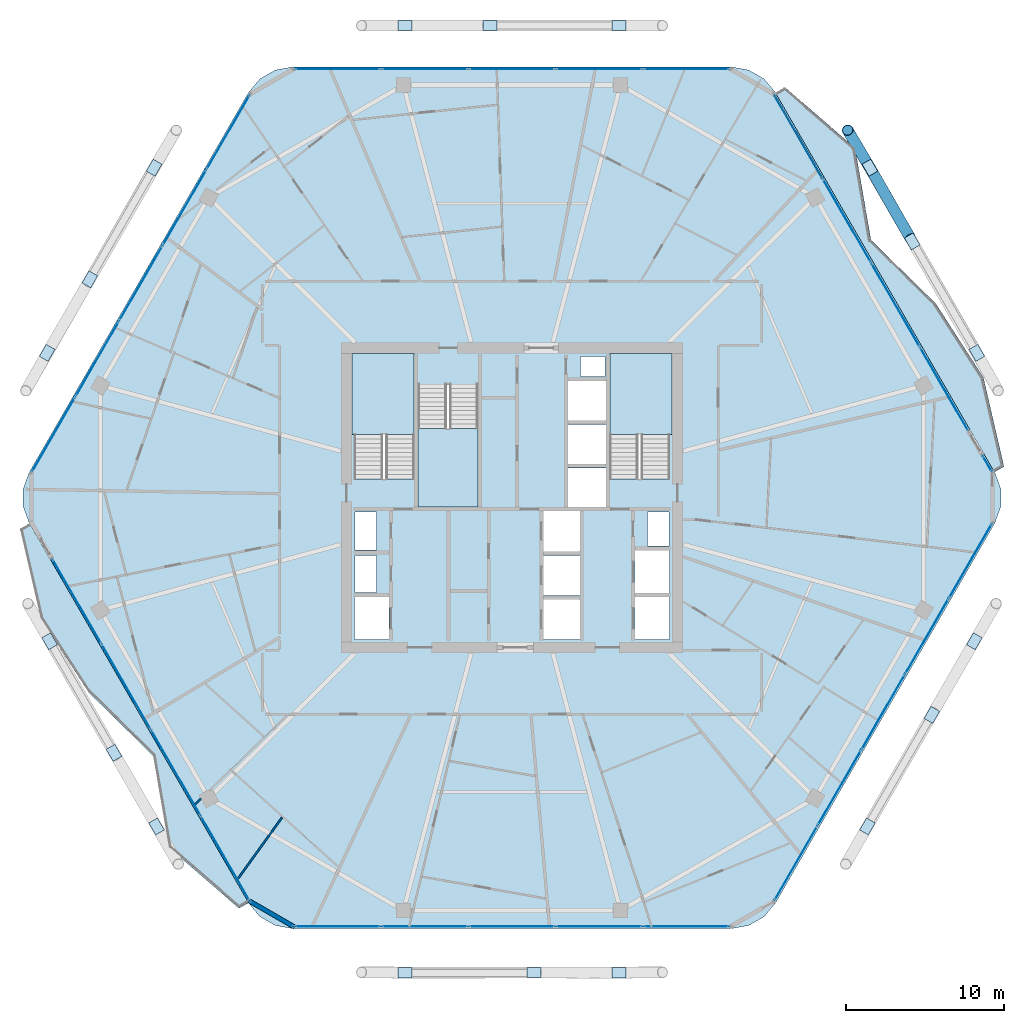
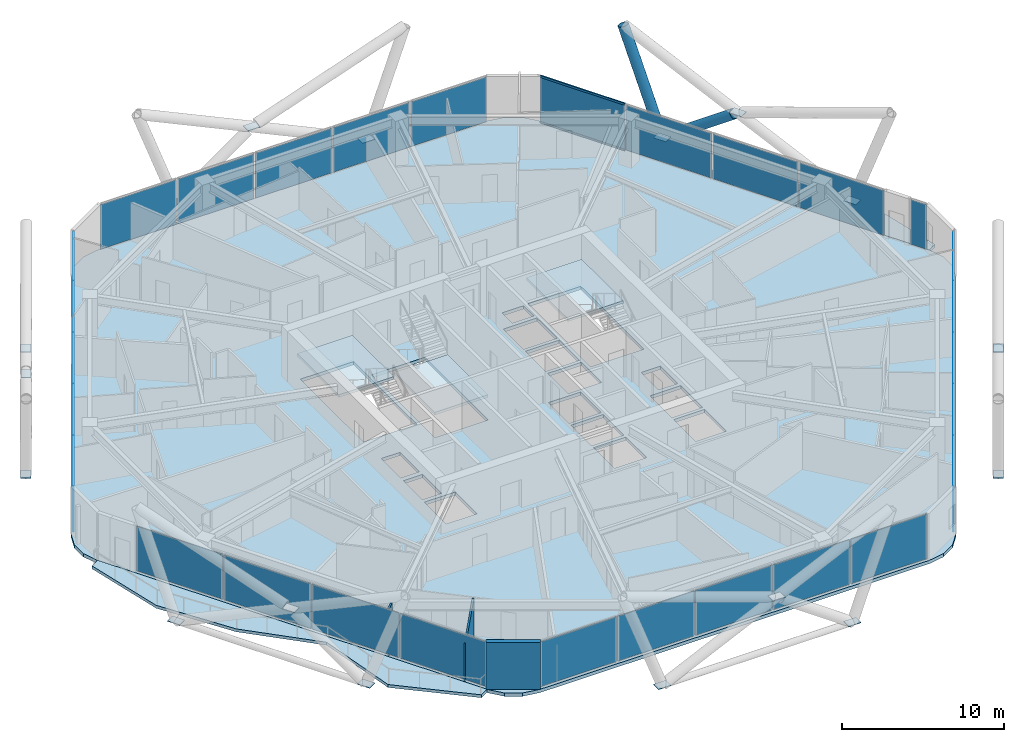
# One storey, part 18 of 27: 47 plates, 6 slabs, 4 members, 3 walls, 10 elements without a shape of their own.
"""IFC4 building model written with IfcOpenShell, lengths in metres."""

from ifc_helpers import new_model, si_unit, direction, frame, frame_2d, origin, origin_2d, place, context, subcontext, project, spatial, polyline, rectangle, hollow_rectangle, hollow_circle, outline, extrude, material, layer, layer_set, material_profile, profile_set, type_object, element, aggregate, save


model = new_model("IFC4")

# Units and contexts
model_context = context("Model", 3, precision=1e-05, world=origin(), true_north=direction((0.0, 1.0)))
body_context = subcontext(model_context, "Body", "Model", "MODEL_VIEW")
ifc_project = project(units=[si_unit("LENGTHUNIT", "METRE"), si_unit("AREAUNIT", "SQUARE_METRE"), si_unit("VOLUMEUNIT", "CUBIC_METRE"), si_unit("PLANEANGLEUNIT", "RADIAN"), si_unit("MASSUNIT", "GRAM", prefix="KILO")], contexts=[model_context])

# Site, building, storey
site_placement = place(None, origin())
site = spatial("IfcSite", under=ifc_project, at=site_placement, CompositionType="ELEMENT")
building_placement = place(site_placement, origin())
building = spatial("IfcBuilding", under=site, at=building_placement, Name="Zuhravey Tower", CompositionType="ELEMENT")
storey_placement = place(building_placement, frame((0.0, 0.0, 215.0)))
storey = spatial("IfcBuildingStorey", under=building, at=storey_placement, Name="L54", CompositionType="ELEMENT", Elevation=215.0)

# Curtain wall, members
ifc_material_1 = material(Name="Thermally broken anodised aluminium", Category="aluminium")
curtain_wall_type = type_object("IfcCurtainWallType", Name="Zone 1-2 Residential Curtain Wall CW3", PredefinedType="NOTDEFINED", material=ifc_material_1)
curtain_wall_1_placement = place(storey_placement, origin())
curtain_wall_1 = element("IfcCurtainWall", 1, at=curtain_wall_1_placement, inside=storey, type_object=curtain_wall_type, Name="L54 CW3 CW-L54-F1-1", PredefinedType="NOTDEFINED")
ifc_material_2 = material(Name="Anodised aluminium", Category="aluminium")
ifc_material_profile_1 = material_profile(ifc_material_2, hollow_rectangle(XDim=0.090087890625, YDim=0.14990234375, WallThickness=0.0048828125, at=origin_2d()), Name="ALU-RHS-90x150x5")
ifc_profile_set_1 = profile_set([ifc_material_profile_1], Name="Anodised aluminium")
member_type_1 = type_object("IfcMemberType", Name="Curtain-Wall Transom 90x150", PredefinedType="USERDEFINED", material=ifc_profile_set_1)
member_1_placement = place(storey_placement, frame((52.65576171875, 57.517578125, 0.044921875), z_axis=(0.500012890865, -0.866017961112, 0.0), x_axis=(0.866017961112, 0.500012890865, 0.0)))
member_1 = element("IfcMember", 2, at=member_1_placement, type_object=member_type_1, Name="CW3 transom 1.1", ObjectType="TRANSOM", PredefinedType="USERDEFINED", context=body_context, shape_type="SweptSolid", body=[
    extrude(hollow_rectangle(XDim=0.090087890625, YDim=0.14990234375, WallThickness=0.0048828125, at=origin_2d()), origin(), (0.0, 0.0, 1.0), 6.039306640625),
])
member_2_placement = place(storey_placement, frame((52.65576171875, 57.517578125, 3.5048828125), z_axis=(0.500012890865, -0.866017961112, 0.0), x_axis=(0.866017961112, 0.500012890865, 0.0)))
member_2 = element("IfcMember", 3, at=member_2_placement, type_object=member_type_1, Name="CW3 transom 1.2", ObjectType="TRANSOM", PredefinedType="USERDEFINED", context=body_context, shape_type="SweptSolid", body=[
    extrude(hollow_rectangle(XDim=0.090087890625, YDim=0.14990234375, WallThickness=0.0048828125, at=origin_2d()), origin(), (0.0, 0.0, 1.0), 6.039306640625),
])

# Members
ifc_material_3 = material(Name="Steel SM460", Category="steel")
ifc_material_profile_2 = material_profile(ifc_material_3, hollow_circle(Radius=0.355712890625, WallThickness=0.031982421875, at=origin_2d()), Name="CHS-711.2x32")
ifc_profile_set_2 = profile_set([ifc_material_profile_2], Name="Steel SM460")
member_type_2 = type_object("IfcMemberType", Name="Exoskeleton Zone 2 Diagrid CHS711x32", PredefinedType="BRACE", material=ifc_profile_set_2)
member_3_placement = place(storey_placement, frame((58.693115234375, 52.940185546875, -0.444091796875), z_axis=(-0.174641459802, 0.295103720853, 0.939369019319), x_axis=(-0.860591717752, -0.509295489217, 0.0)))
element("IfcMember", 4, at=member_3_placement, inside=storey, type_object=member_type_2, Name="L54 Face 1 Diagrid Brace 4", PredefinedType="BRACE", context=body_context, shape_type="SweptSolid", body=[
    extrude(hollow_circle(Radius=0.355712890625, WallThickness=0.031982421875, at=origin_2d()), origin(), (0.0, 0.0, 1.0), 8.048095703125),
])
member_4_placement = place(storey_placement, frame((58.71630859375, 52.900390625, -0.436767578125), z_axis=(0.406751412912, -0.709119821524, 0.575936078759), x_axis=(0.867430450265, 0.497558452801, 0.0)))
element("IfcMember", 5, at=member_4_placement, inside=storey, type_object=member_type_2, Name="L54 Face 1 Split Diagrid Brace 3A", PredefinedType="BRACE", context=body_context, shape_type="SweptSolid", body=[
    extrude(hollow_circle(Radius=0.355712890625, WallThickness=0.031982421875, at=origin_2d()), origin(), (0.0, 0.0, 1.0), 6.205078125),
])

# Plates
ifc_layer_1 = layer(ifc_material_3, 0.035888671875)
ifc_layer_set_1 = layer_set([ifc_layer_1], Name="Steel SM460")
plate_type_1 = type_object("IfcPlateType", Name="Exoskeleton Zone 2 Node Plate ND2", PredefinedType="SHEET", material=ifc_layer_set_1)
for number, where, z_axis, x_axis, name in (
    (6, (65.477783203125, 41.189208984375, -0.48193359375), (0.0, 0.0, 1.0), (-0.5, 0.866025403784, 0.0), "L54 Exoskeleton Node Gusset L54-01"),
    (7, (58.697021484375, 52.93408203125, -0.48193359375), (0.0, 0.0, 1.0), (-0.5, 0.866025403784, 0.0), "L54 Exoskeleton Node Gusset L54-02"),
    (8, (42.781005859375, 61.943115234375, -0.48193359375), (0.0, 0.0, 1.0), (-1.0, 0.0, 0.0), "L54 Exoskeleton Node Gusset L54-03"),
    (9, (29.218994140625, 61.943115234375, -0.48193359375), (0.0, 0.0, 1.0), (-1.0, 0.0, 0.0), "L54 Exoskeleton Node Gusset L54-04"),
    (10, (13.302978515625, 52.93408203125, -0.48193359375), (0.0, 0.0, 1.0), (-0.5, -0.866025403784, 0.0), "L54 Exoskeleton Node Gusset L54-05"),
    (11, (6.522216796875, 41.189208984375, -0.48193359375), (0.0, 0.0, 1.0), (-0.5, -0.866025403784, 0.0), "L54 Exoskeleton Node Gusset L54-06"),
    (12, (6.677978515625, 22.90087890625, -0.48193359375), (0.0, 0.0, 1.0), (0.5, -0.866025403784, 0.0), "L54 Exoskeleton Node Gusset L54-07"),
    (13, (13.458984375, 11.156005859375, -0.48193359375), (0.0, 0.0, 1.0), (0.5, -0.866025403784, 0.0), "L54 Exoskeleton Node Gusset L54-08"),
    (14, (29.218994140625, 1.876953125, -0.48193359375), (0.0, 0.0, 1.0), (1.0, 0.0, 0.0), "L54 Exoskeleton Node Gusset L54-09"),
    (15, (42.781005859375, 1.876953125, -0.48193359375), (0.0, 0.0, 1.0), (1.0, 0.0, 0.0), "L54 Exoskeleton Node Gusset L54-10"),
    (16, (58.541015625, 11.156005859375, -0.48193359375), (0.0, 0.0, 1.0), (0.5, 0.866025403784, 0.0), "L54 Exoskeleton Node Gusset L54-11"),
    (17, (65.322021484375, 22.90087890625, -0.48193359375), (0.0, 0.0, 1.0), (0.5, 0.866025403784, 0.0), "L54 Exoskeleton Node Gusset L54-12"),
    (18, (61.380859375, 48.25537109375, 3.31787109375), (0.0, 0.0, 1.0), (-0.5, 0.866025403784, 0.0), "L54 Face 1 Diagrid X-Crossing Plate"),
    (19, (34.613037109375, 61.943115234375, 3.31787109375), (0.0, 0.0, 1.0), (-1.0, 0.0, 0.0), "L54 Face 2 Diagrid X-Crossing Plate"),
    (20, (9.232177734375, 45.852783203125, 3.31787109375), (0.0, 0.0, 1.0), (-0.5, -0.866025403784, 0.0), "L54 Face 3 Diagrid X-Crossing Plate"),
    (21, (10.761962890625, 15.8271484375, 3.31787109375), (0.0, 0.0, 1.0), (0.5, -0.866025403784, 0.0), "L54 Face 4 Diagrid X-Crossing Plate"),
    (22, (37.386962890625, 1.891845703125, 3.31787109375), (0.0, 0.0, 1.0), (1.0, 0.0, 0.0), "L54 Face 5 Diagrid X-Crossing Plate"),
    (23, (62.625, 18.2294921875, 3.31787109375), (0.0, 0.0, 1.0), (0.5, 0.866025403784, 0.0), "L54 Face 6 Diagrid X-Crossing Plate"),
):
    element("IfcPlate", number, at=place(storey_placement, frame(where, z_axis=z_axis, x_axis=x_axis)), inside=storey, type_object=plate_type_1, Name=name, PredefinedType="SHEET", context=body_context, shape_type="SweptSolid", body=[
        extrude(rectangle(XDim=0.8798828125, YDim=0.639892578125, at=origin_2d()), origin(), (0.0, 0.0, 1.0), 0.035888671875),
    ])

# Slabs
ifc_material_4 = material(Name="Concrete C50/60", Category="concrete")
ifc_layer_2 = layer(ifc_material_4, 0.25)
ifc_layer_set_2 = layer_set([ifc_layer_2], Name="Concrete C50/60")
slab_type_1 = type_object("IfcSlabType", Name="Residential Acoustic Slab 250", PredefinedType="FLOOR", material=ifc_layer_set_2)
slab_1_placement = place(storey_placement, frame((0.0, 0.0, -0.25)))
element("IfcSlab", 24, at=slab_1_placement, inside=storey, type_object=slab_type_1, Name="L54 Floor Slab FS25", PredefinedType="FLOOR", context=body_context, shape_type="SweptSolid", body=[
    extrude(outline(polyline([(66.61181640625, 30.375), (66.997802734375, 31.435546875), (66.997802734375, 32.564453125), (66.61181640625, 33.625), (52.713134765625, 57.697998046875), (51.98779296875, 58.562744140625), (51.01025390625, 59.127197265625), (49.898681640625, 59.322998046875), (22.101318359375, 59.322998046875), (20.98974609375, 59.127197265625), (20.01220703125, 58.562744140625), (19.286865234375, 57.697998046875), (5.38818359375, 33.625), (5.002197265625, 32.564453125), (5.002197265625, 31.435546875), (5.38818359375, 30.375), (19.286865234375, 6.302001953125), (20.01220703125, 5.437255859375), (20.98974609375, 4.872802734375), (22.101318359375, 4.677001953125), (49.898681640625, 4.677001953125), (51.01025390625, 4.872802734375), (51.98779296875, 5.437255859375), (52.713134765625, 6.302001953125), (66.61181640625, 30.375)]), holes=[polyline([(29.800048828125, 33.20068359375), (29.800048828125, 41.0), (26.0, 41.0), (26.0, 33.20068359375), (29.800048828125, 33.20068359375)]), polyline([(46.0, 33.20068359375), (46.0, 41.0), (42.199951171875, 41.0), (42.199951171875, 33.20068359375), (46.0, 33.20068359375)]), polyline([(30.050048828125, 39.199462890625), (30.050048828125, 31.39990234375), (33.85009765625, 31.39990234375), (33.85009765625, 39.199462890625), (30.050048828125, 39.199462890625)]), polyline([(38.0, 23.0), (40.300048828125, 23.0), (40.300048828125, 25.550048828125), (38.0, 25.550048828125), (38.0, 23.0)]), polyline([(38.0, 25.800048828125), (40.300048828125, 25.800048828125), (40.300048828125, 28.35009765625), (38.0, 28.35009765625), (38.0, 25.800048828125)]), polyline([(38.0, 28.60009765625), (40.300048828125, 28.60009765625), (40.300048828125, 31.14990234375), (38.0, 31.14990234375), (38.0, 28.60009765625)]), polyline([(39.550048828125, 31.39990234375), (41.949951171875, 31.39990234375), (41.949951171875, 33.89990234375), (39.550048828125, 33.89990234375), (39.550048828125, 31.39990234375)]), polyline([(39.550048828125, 34.14990234375), (41.949951171875, 34.14990234375), (41.949951171875, 36.64990234375), (39.550048828125, 36.64990234375), (39.550048828125, 34.14990234375)]), polyline([(39.550048828125, 36.89990234375), (41.949951171875, 36.89990234375), (41.949951171875, 39.39990234375), (39.550048828125, 39.39990234375), (39.550048828125, 36.89990234375)]), polyline([(26.0, 23.0), (28.199951171875, 23.0), (28.199951171875, 25.699951171875), (26.0, 25.699951171875), (26.0, 23.0)]), polyline([(43.800048828125, 23.0), (46.0, 23.0), (46.0, 25.699951171875), (43.800048828125, 25.699951171875), (43.800048828125, 23.0)]), polyline([(43.800048828125, 25.949951171875), (46.0, 25.949951171875), (46.0, 28.64990234375), (43.800048828125, 28.64990234375), (43.800048828125, 25.949951171875)]), polyline([(26.050048828125, 26.0), (27.39990234375, 26.0), (27.39990234375, 28.35009765625), (26.050048828125, 28.35009765625), (26.050048828125, 26.0)]), polyline([(26.050048828125, 28.699951171875), (27.39990234375, 28.699951171875), (27.39990234375, 31.10009765625), (26.050048828125, 31.10009765625), (26.050048828125, 28.699951171875)]), polyline([(44.60009765625, 28.949951171875), (45.949951171875, 28.949951171875), (45.949951171875, 31.10009765625), (44.60009765625, 31.10009765625), (44.60009765625, 28.949951171875)]), polyline([(40.35009765625, 39.699951171875), (41.89990234375, 39.699951171875), (41.89990234375, 40.949951171875), (40.35009765625, 40.949951171875), (40.35009765625, 39.699951171875)])]), origin(), (0.0, 0.0, 1.0), 0.25),
])
ifc_material_5 = material(Name="Concrete C40/50", Category="concrete")
ifc_layer_3 = layer(ifc_material_5, 0.219970703125)
ifc_layer_set_3 = layer_set([ifc_layer_3], Name="Concrete C40/50")
slab_type_2 = type_object("IfcSlabType", Name="Sinusoidal Residential Wave Balcony 220", PredefinedType="FLOOR", material=ifc_layer_set_3)
slab_2_placement = place(storey_placement, frame((0.0, 0.0, -0.219970703125)))
element("IfcSlab", 25, at=slab_2_placement, inside=storey, type_object=slab_type_2, Name="L54 Face 1 Wave Balcony WB22", PredefinedType="FLOOR", context=body_context, shape_type="SweptSolid", body=[
    extrude(outline(polyline([(66.594482421875, 33.625), (52.70458984375, 57.68310546875), (53.310791015625, 58.033203125), (57.75537109375, 54.18359375), (58.76318359375, 48.35009765625), (62.877197265625, 44.309814453125), (65.892333984375, 39.635009765625), (67.20068359375, 33.97509765625), (66.594482421875, 33.625)])), origin(), (0.0, 0.0, 1.0), 0.219970703125),
])
slab_3_placement = place(storey_placement, frame((0.0, 0.0, -0.219970703125)))
element("IfcSlab", 26, at=slab_3_placement, inside=storey, type_object=slab_type_2, Name="L54 Face 4 Wave Balcony WB22", PredefinedType="FLOOR", context=body_context, shape_type="SweptSolid", body=[
    extrude(outline(polyline([(5.405517578125, 30.375), (19.29541015625, 6.31689453125), (18.689208984375, 5.966796875), (14.24462890625, 9.81640625), (13.23681640625, 15.64990234375), (9.122802734375, 19.690185546875), (6.107666015625, 24.364990234375), (4.79931640625, 30.02490234375), (5.405517578125, 30.375)])), origin(), (0.0, 0.0, 1.0), 0.219970703125),
])

# Stair, slab
stair_type = type_object("IfcStairType", Name="Housing Storey Stair Assembly 3800", PredefinedType="HALF_TURN_STAIR", material=ifc_material_5)
stair_1_placement = place(storey_placement, origin())
stair_1 = element("IfcStair", 27, at=stair_1_placement, inside=storey, type_object=stair_type, Name="L54 Core Exit Stair ST1", PredefinedType="HALF_TURN_STAIR")
ifc_layer_4 = layer(ifc_material_5, 0.199951171875)
ifc_layer_set_4 = layer_set([ifc_layer_4], Name="Concrete C40/50")
slab_type_3 = type_object("IfcSlabType", Name="Stair Landing Slab 200", PredefinedType="LANDING", material=ifc_layer_set_4)
slab_4_placement = place(storey_placement, frame((0.0, 0.0, 1.699951171875)))
slab_4 = element("IfcSlab", 28, at=slab_4_placement, type_object=slab_type_3, Name="ST1 landing 1", PredefinedType="LANDING", context=body_context, shape_type="SweptSolid", body=[
    extrude(outline(polyline([(29.800048828125, 36.0), (29.800048828125, 41.14794921875), (25.85205078125, 41.14794921875), (25.85205078125, 36.0), (29.800048828125, 36.0)])), origin(), (0.0, 0.0, 1.0), 0.199951171875),
])
aggregate(stair_1, [slab_4])

stair_2_placement = place(storey_placement, origin())
stair_2 = element("IfcStair", 29, at=stair_2_placement, inside=storey, type_object=stair_type, Name="L54 Core Exit Stair ST2", PredefinedType="HALF_TURN_STAIR")
slab_5_placement = place(storey_placement, frame((0.0, 0.0, 1.699951171875)))
slab_5 = element("IfcSlab", 30, at=slab_5_placement, type_object=slab_type_3, Name="ST2 landing 1", PredefinedType="LANDING", context=body_context, shape_type="SweptSolid", body=[
    extrude(outline(polyline([(46.14794921875, 36.0), (46.14794921875, 41.14794921875), (42.199951171875, 41.14794921875), (42.199951171875, 36.0), (46.14794921875, 36.0)])), origin(), (0.0, 0.0, 1.0), 0.199951171875),
])
aggregate(stair_2, [slab_5])

stair_3_placement = place(storey_placement, origin())
stair_3 = element("IfcStair", 31, at=stair_3_placement, inside=storey, type_object=stair_type, Name="L54 Core Exit Stair ST3", PredefinedType="HALF_TURN_STAIR")
slab_6_placement = place(storey_placement, frame((0.0, 0.0, 1.699951171875)))
slab_6 = element("IfcSlab", 32, at=slab_6_placement, type_object=slab_type_3, Name="ST3 landing 1", PredefinedType="LANDING", context=body_context, shape_type="SweptSolid", body=[
    extrude(outline(polyline([(30.050048828125, 36.39990234375), (30.050048828125, 31.39990234375), (33.85009765625, 31.39990234375), (33.85009765625, 36.39990234375), (30.050048828125, 36.39990234375)])), origin(), (0.0, 0.0, 1.0), 0.199951171875),
])
aggregate(stair_3, [slab_6])

# Curtain wall, plates
curtain_wall_2_placement = place(storey_placement, origin())
curtain_wall_2 = element("IfcCurtainWall", 33, at=curtain_wall_2_placement, inside=storey, type_object=curtain_wall_type, Name="L54 CW3 CW-L54-F6-1", PredefinedType="NOTDEFINED")
ifc_material_6 = material(Name="Triple low-E insulated vision glass", Category="glass")
ifc_layer_5 = layer(ifc_material_6, 0.0419921875)
ifc_layer_set_5 = layer_set([ifc_layer_5], Name="Triple low-E insulated vision glass")
plate_type_2 = type_object("IfcPlateType", Name="Triple Low-E Vision Panel", PredefinedType="CURTAIN_PANEL", material=ifc_layer_set_5)
plate_1_placement = place(storey_placement, frame((65.074462890625, 27.9921875, 0.08984375), z_axis=(0.0, 0.0, 1.0), x_axis=(-0.500000459979, -0.866025138215, 0.0)))
plate_1 = element("IfcPlate", 34, at=plate_1_placement, type_object=plate_type_2, Name="CW3 panel 1.1", PredefinedType="CURTAIN_PANEL", context=body_context, shape_type="SweptSolid", body=[
    extrude(rectangle(XDim=5.409423828125, YDim=0.0419921875, at=origin_2d()), origin(), (0.0, 0.0, 1.0), 3.3701171875),
])
plate_2_placement = place(storey_placement, frame((62.3134765625, 23.2099609375, 0.08984375), z_axis=(0.0, 0.0, 1.0), x_axis=(-0.500000459979, -0.866025138215, 0.0)))
plate_2 = element("IfcPlate", 35, at=plate_2_placement, type_object=plate_type_2, Name="CW3 panel 2.1", PredefinedType="CURTAIN_PANEL", context=body_context, shape_type="SweptSolid", body=[
    extrude(rectangle(XDim=5.454345703125, YDim=0.0419921875, at=origin_2d()), origin(), (0.0, 0.0, 1.0), 3.3701171875),
])
plate_3_placement = place(storey_placement, frame((59.541259765625, 18.408447265625, 0.08984375), z_axis=(0.0, 0.0, 1.0), x_axis=(-0.500000459979, -0.866025138215, 0.0)))
plate_3 = element("IfcPlate", 36, at=plate_3_placement, type_object=plate_type_2, Name="CW3 panel 3.1", PredefinedType="CURTAIN_PANEL", context=body_context, shape_type="SweptSolid", body=[
    extrude(rectangle(XDim=5.454345703125, YDim=0.0419921875, at=origin_2d()), origin(), (0.0, 0.0, 1.0), 3.3701171875),
])
plate_4_placement = place(storey_placement, frame((56.76904296875, 13.60693359375, 0.08984375), z_axis=(0.0, 0.0, 1.0), x_axis=(-0.500000459979, -0.866025138215, 0.0)))
plate_4 = element("IfcPlate", 37, at=plate_4_placement, type_object=plate_type_2, Name="CW3 panel 4.1", PredefinedType="CURTAIN_PANEL", context=body_context, shape_type="SweptSolid", body=[
    extrude(rectangle(XDim=5.454345703125, YDim=0.0419921875, at=origin_2d()), origin(), (0.0, 0.0, 1.0), 3.3701171875),
])
plate_5_placement = place(storey_placement, frame((54.008056640625, 8.82470703125, 0.08984375), z_axis=(0.0, 0.0, 1.0), x_axis=(-0.500000459979, -0.866025138215, 0.0)))
plate_5 = element("IfcPlate", 38, at=plate_5_placement, type_object=plate_type_2, Name="CW3 panel 5.1", PredefinedType="CURTAIN_PANEL", context=body_context, shape_type="SweptSolid", body=[
    extrude(rectangle(XDim=5.409423828125, YDim=0.0419921875, at=origin_2d()), origin(), (0.0, 0.0, 1.0), 3.3701171875),
])
aggregate(curtain_wall_2, [plate_1, plate_2, plate_3, plate_4, plate_5])

curtain_wall_3_placement = place(storey_placement, origin())
curtain_wall_3 = element("IfcCurtainWall", 39, at=curtain_wall_3_placement, inside=storey, type_object=curtain_wall_type, Name="L54 CW3 CW-L54-F5-1", PredefinedType="NOTDEFINED")
plate_6_placement = place(storey_placement, frame((47.06640625, 4.81689453125, 0.08984375), z_axis=(0.0, 0.0, 1.0), x_axis=(-1.0, 0.0, 0.0)))
plate_6 = element("IfcPlate", 40, at=plate_6_placement, type_object=plate_type_2, Name="CW3 panel 1.1", PredefinedType="CURTAIN_PANEL", context=body_context, shape_type="SweptSolid", body=[
    extrude(rectangle(XDim=5.409423828125, YDim=0.0419921875, at=origin_2d()), origin(), (0.0, 0.0, 1.0), 3.3701171875),
])
plate_7_placement = place(storey_placement, frame((41.54443359375, 4.81689453125, 0.08984375), z_axis=(0.0, 0.0, 1.0), x_axis=(-1.0, 0.0, 0.0)))
plate_7 = element("IfcPlate", 41, at=plate_7_placement, type_object=plate_type_2, Name="CW3 panel 2.1", PredefinedType="CURTAIN_PANEL", context=body_context, shape_type="SweptSolid", body=[
    extrude(rectangle(XDim=5.454345703125, YDim=0.0419921875, at=origin_2d()), origin(), (0.0, 0.0, 1.0), 3.3701171875),
])
plate_8_placement = place(storey_placement, frame((36.0, 4.81689453125, 0.08984375), z_axis=(0.0, 0.0, 1.0), x_axis=(-1.0, 0.0, 0.0)))
plate_8 = element("IfcPlate", 42, at=plate_8_placement, type_object=plate_type_2, Name="CW3 panel 3.1", PredefinedType="CURTAIN_PANEL", context=body_context, shape_type="SweptSolid", body=[
    extrude(rectangle(XDim=5.454345703125, YDim=0.0419921875, at=origin_2d()), origin(), (0.0, 0.0, 1.0), 3.3701171875),
])
plate_9_placement = place(storey_placement, frame((30.45556640625, 4.81689453125, 0.08984375), z_axis=(0.0, 0.0, 1.0), x_axis=(-1.0, 0.0, 0.0)))
plate_9 = element("IfcPlate", 43, at=plate_9_placement, type_object=plate_type_2, Name="CW3 panel 4.1", PredefinedType="CURTAIN_PANEL", context=body_context, shape_type="SweptSolid", body=[
    extrude(rectangle(XDim=5.454345703125, YDim=0.0419921875, at=origin_2d()), origin(), (0.0, 0.0, 1.0), 3.3701171875),
])
plate_10_placement = place(storey_placement, frame((24.93359375, 4.81689453125, 0.08984375), z_axis=(0.0, 0.0, 1.0), x_axis=(-1.0, 0.0, 0.0)))
plate_10 = element("IfcPlate", 44, at=plate_10_placement, type_object=plate_type_2, Name="CW3 panel 5.1", PredefinedType="CURTAIN_PANEL", context=body_context, shape_type="SweptSolid", body=[
    extrude(rectangle(XDim=5.409423828125, YDim=0.0419921875, at=origin_2d()), origin(), (0.0, 0.0, 1.0), 3.3701171875),
])
aggregate(curtain_wall_3, [plate_6, plate_7, plate_8, plate_9, plate_10])

curtain_wall_4_placement = place(storey_placement, origin())
curtain_wall_4 = element("IfcCurtainWall", 45, at=curtain_wall_4_placement, inside=storey, type_object=curtain_wall_type, Name="L54 CW3 CW-L54-F4-1", PredefinedType="NOTDEFINED")
plate_11_placement = place(storey_placement, frame((17.8076171875, 9.14404296875, 0.08984375), z_axis=(0.0, 0.0, 1.0), x_axis=(-0.50000182592, 0.866024349586, 0.0)))
plate_11 = element("IfcPlate", 46, at=plate_11_placement, type_object=plate_type_2, Name="CW3 panel 1.1", PredefinedType="CURTAIN_PANEL", context=body_context, shape_type="SweptSolid", body=[
    extrude(rectangle(XDim=6.147216796875, YDim=0.0419921875, at=origin_2d()), origin(), (0.0, 0.0, 1.0), 3.3701171875),
])
plate_12_placement = place(storey_placement, frame((14.677734375, 14.565185546875, 0.08984375), z_axis=(0.0, 0.0, 1.0), x_axis=(-0.50000182592, 0.866024349586, 0.0)))
plate_12 = element("IfcPlate", 47, at=plate_12_placement, type_object=plate_type_2, Name="CW3 panel 2.1", PredefinedType="CURTAIN_PANEL", context=body_context, shape_type="SweptSolid", body=[
    extrude(rectangle(XDim=6.192138671875, YDim=0.0419921875, at=origin_2d()), origin(), (0.0, 0.0, 1.0), 3.3701171875),
])
plate_13_placement = place(storey_placement, frame((11.53662109375, 20.005615234375, 0.08984375), z_axis=(0.0, 0.0, 1.0), x_axis=(-0.50000182592, 0.866024349586, 0.0)))
plate_13 = element("IfcPlate", 48, at=plate_13_placement, type_object=plate_type_2, Name="CW3 panel 3.1", PredefinedType="CURTAIN_PANEL", context=body_context, shape_type="SweptSolid", body=[
    extrude(rectangle(XDim=6.192138671875, YDim=0.0419921875, at=origin_2d()), origin(), (0.0, 0.0, 1.0), 3.3701171875),
])
plate_14_placement = place(storey_placement, frame((8.40673828125, 25.426513671875, 0.08984375), z_axis=(0.0, 0.0, 1.0), x_axis=(-0.50000182592, 0.866024349586, 0.0)))
plate_14 = element("IfcPlate", 49, at=plate_14_placement, type_object=plate_type_2, Name="CW3 panel 4.1", PredefinedType="CURTAIN_PANEL", context=body_context, shape_type="SweptSolid", body=[
    extrude(rectangle(XDim=6.147216796875, YDim=0.0419921875, at=origin_2d()), origin(), (0.0, 0.0, 1.0), 3.3701171875),
])
aggregate(curtain_wall_4, [plate_11, plate_12, plate_13, plate_14])

curtain_wall_5_placement = place(storey_placement, origin())
curtain_wall_5 = element("IfcCurtainWall", 50, at=curtain_wall_5_placement, inside=storey, type_object=curtain_wall_type, Name="L54 CW3 CW-L54-F3-1", PredefinedType="NOTDEFINED")
plate_15_placement = place(storey_placement, frame((6.925537109375, 36.0078125, 0.08984375), z_axis=(0.0, 0.0, 1.0), x_axis=(0.500000459979, 0.866025138215, 0.0)))
plate_15 = element("IfcPlate", 51, at=plate_15_placement, type_object=plate_type_2, Name="CW3 panel 1.1", PredefinedType="CURTAIN_PANEL", context=body_context, shape_type="SweptSolid", body=[
    extrude(rectangle(XDim=5.409423828125, YDim=0.0419921875, at=origin_2d()), origin(), (0.0, 0.0, 1.0), 3.3701171875),
])
plate_16_placement = place(storey_placement, frame((9.6865234375, 40.7900390625, 0.08984375), z_axis=(0.0, 0.0, 1.0), x_axis=(0.500000459979, 0.866025138215, 0.0)))
plate_16 = element("IfcPlate", 52, at=plate_16_placement, type_object=plate_type_2, Name="CW3 panel 2.1", PredefinedType="CURTAIN_PANEL", context=body_context, shape_type="SweptSolid", body=[
    extrude(rectangle(XDim=5.454345703125, YDim=0.0419921875, at=origin_2d()), origin(), (0.0, 0.0, 1.0), 3.3701171875),
])
plate_17_placement = place(storey_placement, frame((12.458740234375, 45.591552734375, 0.08984375), z_axis=(0.0, 0.0, 1.0), x_axis=(0.500000459979, 0.866025138215, 0.0)))
plate_17 = element("IfcPlate", 53, at=plate_17_placement, type_object=plate_type_2, Name="CW3 panel 3.1", PredefinedType="CURTAIN_PANEL", context=body_context, shape_type="SweptSolid", body=[
    extrude(rectangle(XDim=5.454345703125, YDim=0.0419921875, at=origin_2d()), origin(), (0.0, 0.0, 1.0), 3.3701171875),
])
plate_18_placement = place(storey_placement, frame((15.23095703125, 50.39306640625, 0.08984375), z_axis=(0.0, 0.0, 1.0), x_axis=(0.500000459979, 0.866025138215, 0.0)))
plate_18 = element("IfcPlate", 54, at=plate_18_placement, type_object=plate_type_2, Name="CW3 panel 4.1", PredefinedType="CURTAIN_PANEL", context=body_context, shape_type="SweptSolid", body=[
    extrude(rectangle(XDim=5.454345703125, YDim=0.0419921875, at=origin_2d()), origin(), (0.0, 0.0, 1.0), 3.3701171875),
])
plate_19_placement = place(storey_placement, frame((17.991943359375, 55.17529296875, 0.08984375), z_axis=(0.0, 0.0, 1.0), x_axis=(0.500000459979, 0.866025138215, 0.0)))
plate_19 = element("IfcPlate", 55, at=plate_19_placement, type_object=plate_type_2, Name="CW3 panel 5.1", PredefinedType="CURTAIN_PANEL", context=body_context, shape_type="SweptSolid", body=[
    extrude(rectangle(XDim=5.409423828125, YDim=0.0419921875, at=origin_2d()), origin(), (0.0, 0.0, 1.0), 3.3701171875),
])
aggregate(curtain_wall_5, [plate_15, plate_16, plate_17, plate_18, plate_19])

curtain_wall_6_placement = place(storey_placement, origin())
curtain_wall_6 = element("IfcCurtainWall", 56, at=curtain_wall_6_placement, inside=storey, type_object=curtain_wall_type, Name="L54 CW3 CW-L54-F2-1", PredefinedType="NOTDEFINED")
plate_20_placement = place(storey_placement, frame((24.93359375, 59.18310546875, 0.08984375), z_axis=(0.0, 0.0, 1.0), x_axis=(1.0, 0.0, 0.0)))
plate_20 = element("IfcPlate", 57, at=plate_20_placement, type_object=plate_type_2, Name="CW3 panel 1.1", PredefinedType="CURTAIN_PANEL", context=body_context, shape_type="SweptSolid", body=[
    extrude(rectangle(XDim=5.409423828125, YDim=0.0419921875, at=origin_2d()), origin(), (0.0, 0.0, 1.0), 3.3701171875),
])
plate_21_placement = place(storey_placement, frame((30.45556640625, 59.18310546875, 0.08984375), z_axis=(0.0, 0.0, 1.0), x_axis=(1.0, 0.0, 0.0)))
plate_21 = element("IfcPlate", 58, at=plate_21_placement, type_object=plate_type_2, Name="CW3 panel 2.1", PredefinedType="CURTAIN_PANEL", context=body_context, shape_type="SweptSolid", body=[
    extrude(rectangle(XDim=5.454345703125, YDim=0.0419921875, at=origin_2d()), origin(), (0.0, 0.0, 1.0), 3.3701171875),
])
plate_22_placement = place(storey_placement, frame((36.0, 59.18310546875, 0.08984375), z_axis=(0.0, 0.0, 1.0), x_axis=(1.0, 0.0, 0.0)))
plate_22 = element("IfcPlate", 59, at=plate_22_placement, type_object=plate_type_2, Name="CW3 panel 3.1", PredefinedType="CURTAIN_PANEL", context=body_context, shape_type="SweptSolid", body=[
    extrude(rectangle(XDim=5.454345703125, YDim=0.0419921875, at=origin_2d()), origin(), (0.0, 0.0, 1.0), 3.3701171875),
])
plate_23_placement = place(storey_placement, frame((41.54443359375, 59.18310546875, 0.08984375), z_axis=(0.0, 0.0, 1.0), x_axis=(1.0, 0.0, 0.0)))
plate_23 = element("IfcPlate", 60, at=plate_23_placement, type_object=plate_type_2, Name="CW3 panel 4.1", PredefinedType="CURTAIN_PANEL", context=body_context, shape_type="SweptSolid", body=[
    extrude(rectangle(XDim=5.454345703125, YDim=0.0419921875, at=origin_2d()), origin(), (0.0, 0.0, 1.0), 3.3701171875),
])
plate_24_placement = place(storey_placement, frame((47.06640625, 59.18310546875, 0.08984375), z_axis=(0.0, 0.0, 1.0), x_axis=(1.0, 0.0, 0.0)))
plate_24 = element("IfcPlate", 61, at=plate_24_placement, type_object=plate_type_2, Name="CW3 panel 5.1", PredefinedType="CURTAIN_PANEL", context=body_context, shape_type="SweptSolid", body=[
    extrude(rectangle(XDim=5.409423828125, YDim=0.0419921875, at=origin_2d()), origin(), (0.0, 0.0, 1.0), 3.3701171875),
])
aggregate(curtain_wall_6, [plate_20, plate_21, plate_22, plate_23, plate_24])

# Plate
plate_25_placement = place(storey_placement, frame((54.16552734375, 54.902587890625, 0.08984375), z_axis=(0.0, 0.0, 1.0), x_axis=(0.500001672987, -0.866024437883, 0.0)))
plate_25 = element("IfcPlate", 62, at=plate_25_placement, type_object=plate_type_2, Name="CW3 panel 1.1", PredefinedType="CURTAIN_PANEL", context=body_context, shape_type="SweptSolid", body=[
    extrude(rectangle(XDim=6.03955078125, YDim=0.0419921875, at=origin_2d()), origin(), (0.0, 0.0, 1.0), 3.3701171875),
])

plate_26_placement = place(storey_placement, frame((57.241455078125, 49.57470703125, 0.08984375), z_axis=(0.0, 0.0, 1.0), x_axis=(0.500001672987, -0.866024437883, 0.0)))
plate_26 = element("IfcPlate", 63, at=plate_26_placement, type_object=plate_type_2, Name="CW3 panel 2.1", PredefinedType="CURTAIN_PANEL", context=body_context, shape_type="SweptSolid", body=[
    extrude(rectangle(XDim=6.08447265625, YDim=0.0419921875, at=origin_2d()), origin(), (0.0, 0.0, 1.0), 3.3701171875),
])

plate_27_placement = place(storey_placement, frame((60.328857421875, 44.2275390625, 0.08984375), z_axis=(0.0, 0.0, 1.0), x_axis=(0.500001672987, -0.866024437883, 0.0)))
plate_27 = element("IfcPlate", 64, at=plate_27_placement, type_object=plate_type_2, Name="CW3 panel 3.1", PredefinedType="CURTAIN_PANEL", context=body_context, shape_type="SweptSolid", body=[
    extrude(rectangle(XDim=6.08447265625, YDim=0.0419921875, at=origin_2d()), origin(), (0.0, 0.0, 1.0), 3.3701171875),
])

plate_28_placement = place(storey_placement, frame((63.40478515625, 38.899658203125, 0.08984375), z_axis=(0.0, 0.0, 1.0), x_axis=(0.500001672987, -0.866024437883, 0.0)))
plate_28 = element("IfcPlate", 65, at=plate_28_placement, type_object=plate_type_2, Name="CW3 panel 4.1", PredefinedType="CURTAIN_PANEL", context=body_context, shape_type="SweptSolid", body=[
    extrude(rectangle(XDim=6.03955078125, YDim=0.0419921875, at=origin_2d()), origin(), (0.0, 0.0, 1.0), 3.3701171875),
])

aggregate(curtain_wall_1, [member_1, member_2, plate_25, plate_26, plate_27, plate_28])

# Curtain wall, plate
curtain_wall_7_placement = place(storey_placement, origin())
curtain_wall_7 = element("IfcCurtainWall", 66, at=curtain_wall_7_placement, inside=storey, type_object=curtain_wall_type, Name="L54 CW3 CW-L54-F1-2", PredefinedType="NOTDEFINED")
plate_29_placement = place(storey_placement, frame((66.140869140625, 34.160888671875, 0.08984375), z_axis=(0.0, 0.0, 1.0), x_axis=(0.499964306755, -0.866046010308, 0.0)))
plate_29 = element("IfcPlate", 67, at=plate_29_placement, type_object=plate_type_2, Name="CW3 panel 1.1", PredefinedType="CURTAIN_PANEL", context=body_context, shape_type="SweptSolid", body=[
    extrude(rectangle(XDim=1.144287109375, YDim=0.0419921875, at=origin_2d()), origin(), (0.0, 0.0, 1.0), 3.3701171875),
])
aggregate(curtain_wall_7, [plate_29])

# Walls
ifc_material_7 = material(Name="Precast concrete C40/50", Category="concrete")
ifc_layer_6 = layer(ifc_material_7, 0.280029296875)
ifc_layer_set_6 = layer_set([ifc_layer_6], Name="Precast concrete C40/50")
wall_type_1 = type_object("IfcWallType", Name="Crown Architectural Wall 280", PredefinedType="SOLIDWALL", material=ifc_layer_set_6)
wall_1_placement = place(storey_placement, frame((22.22119140625, 4.769287109375, 0.0), z_axis=(0.0, 0.0, 1.0), x_axis=(-0.866020068361, 0.500009241111, 0.0)))
element("IfcWall", 68, at=wall_1_placement, inside=storey, type_object=wall_type_1, Name="L54 Rounded Corner Closure Wall EW28-04", PredefinedType="SOLIDWALL", context=body_context, shape_type="SweptSolid", body=[
    extrude(rectangle(XDim=3.365234375, YDim=0.280029296875, at=frame_2d((1.6826171875, 0.0))), origin(), (0.0, 0.0, 1.0), 3.550048828125),
])
ifc_material_8 = material(Name="Gypsum metal-stud partition")
ifc_layer_7 = layer(ifc_material_8, 0.1201171875)
ifc_layer_set_7 = layer_set([ifc_layer_7], Name="Gypsum metal-stud partition")
wall_type_2 = type_object("IfcWallType", Name="Unit Internal Partition 120", PredefinedType="PARTITIONING", material=ifc_layer_set_7)
wall_2_placement = place(storey_placement, frame((21.414306640625, 11.72412109375, 0.0), z_axis=(0.0, 0.0, 1.0), x_axis=(-0.583973485563, -0.81177273184, 0.0)))
element("IfcWall", 69, at=wall_2_placement, inside=storey, type_object=wall_type_2, Name="L54 IW12 Partition 100", PredefinedType="PARTITIONING", context=body_context, shape_type="SweptSolid", body=[
    extrude(rectangle(XDim=4.874267578125, YDim=0.1201171875, at=frame_2d((2.43701171875, 0.0))), origin(), (0.0, 0.0, 1.0), 2.8701171875),
])
wall_3_placement = place(storey_placement, frame((16.279541015625, 12.929443359375, 0.0), z_axis=(0.0, 0.0, 1.0), x_axis=(-0.718981497127, -0.695029212903, 0.0)))
element("IfcWall", 70, at=wall_3_placement, inside=storey, type_object=wall_type_2, Name="L54 IW12 Partition 102", PredefinedType="PARTITIONING", context=body_context, shape_type="SweptSolid", body=[
    extrude(rectangle(XDim=0.591064453125, YDim=0.1201171875, at=frame_2d((0.29541015625, 0.0))), origin(), (0.0, 0.0, 1.0), 3.550048828125),
])

save(model, "model.ifc")
